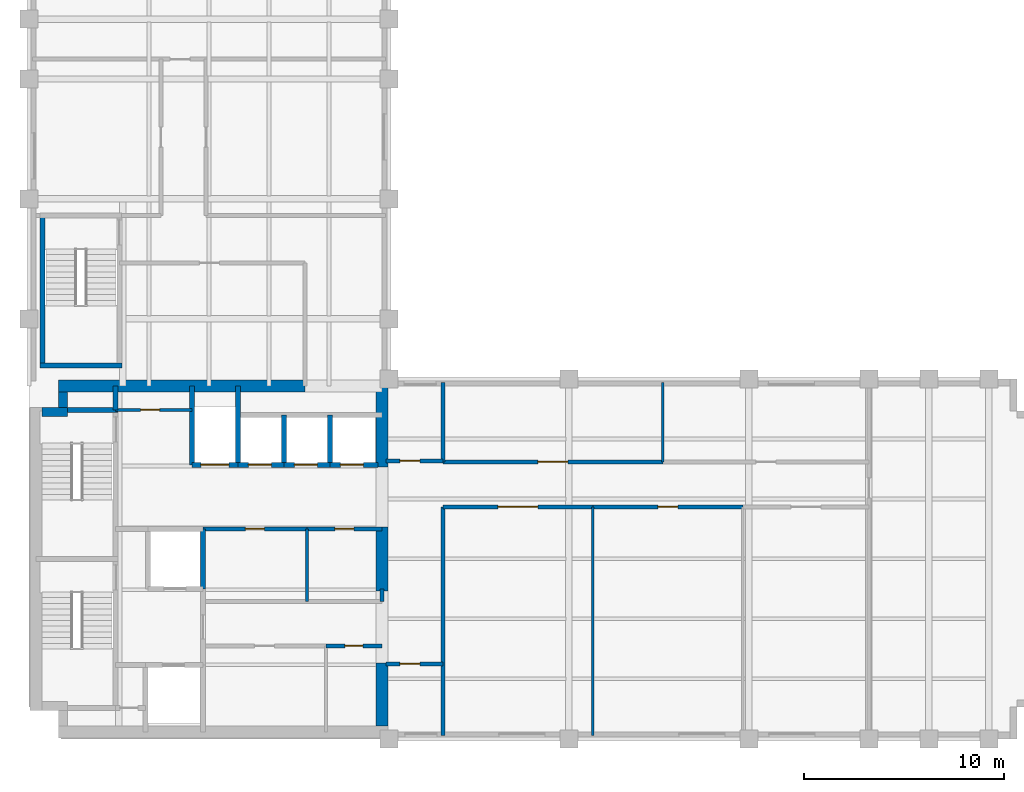
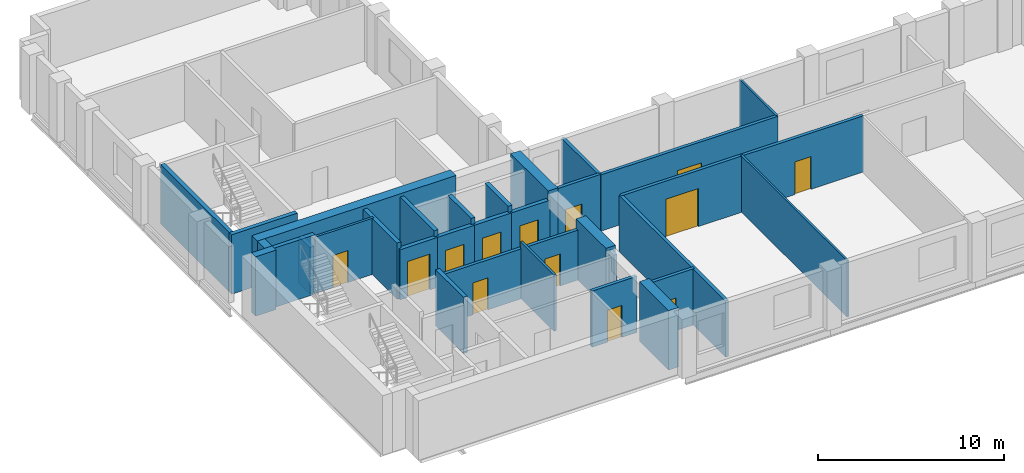
# One storey, part 3 of 6: 34 walls, 13 doors, 13 openings.
"""IFC4 building model written with IfcOpenShell, lengths in metres."""

from ifc_helpers import new_model, si_unit, direction, frame, frame_2d, origin, place, context, subcontext, project, spatial, rectangle, extrude, material, layer, layer_set, type_object, element, fill, save


model = new_model("IFC4")

# Units and contexts
model_context = context("Model", 3, precision=1e-05, world=origin(), true_north=direction((0.0, 1.0)))
body_context = subcontext(model_context, "Body", "Model", "MODEL_VIEW")
ifc_project = project(units=[si_unit("LENGTHUNIT", "METRE"), si_unit("AREAUNIT", "SQUARE_METRE"), si_unit("VOLUMEUNIT", "CUBIC_METRE"), si_unit("PLANEANGLEUNIT", "RADIAN"), si_unit("MASSUNIT", "GRAM", prefix="KILO")], contexts=[model_context])

# Site, building, storey
site_placement = place(None, origin())
site = spatial("IfcSite", under=ifc_project, at=site_placement, CompositionType="ELEMENT")
building_placement = place(site_placement, origin())
building = spatial("IfcBuilding", under=site, at=building_placement, Name="Mawjdan Bourse Tower", CompositionType="ELEMENT")
storey_placement = place(building_placement, frame((0.0, 0.0, 180.0)))
storey = spatial("IfcBuildingStorey", under=building, at=storey_placement, Name="L43", CompositionType="ELEMENT", Elevation=180.0)

# Wall, opening, door
ifc_material_1 = material(Name="Gypsum Fireboard Assembly")
ifc_layer_1 = layer(ifc_material_1, 0.199951171875)
ifc_layer_set_1 = layer_set([ifc_layer_1], Name="Gypsum Fireboard Assembly")
wall_type_1 = type_object("IfcWallType", Name="WL-CMP-200", PredefinedType="PARTITIONING", material=ifc_layer_set_1)
wall_1_placement = place(storey_placement, frame((20.85009765625, 7.659912109375, 0.0), z_axis=(0.0, 0.0, 1.0), x_axis=(1.0, 0.0, 0.0)))
wall_1 = element("IfcWall", 1, at=wall_1_placement, inside=storey, type_object=wall_type_1, Name="L43 Telemetry Control Room North Wall", PredefinedType="PARTITIONING", context=body_context, shape_type="SweptSolid", body=[
    extrude(rectangle(XDim=2.7998046875, YDim=0.199951171875, at=frame_2d((1.39990234375, 0.0))), origin(), (0.0, 0.0, 1.0), 3.68994140625),
])
opening_1_placement = place(wall_1_placement, frame((0.949951171875, 0.0, 0.0)))
opening_1 = element("IfcOpeningElement", 2, at=opening_1_placement, cuts=wall_1, Name="Opening D-L43-14", PredefinedType="OPENING", context=body_context, shape_type="SweptSolid", body=[
    extrude(rectangle(XDim=0.89990234375, YDim=2.10009765625, at=frame_2d((0.449951171875, 1.050048828125))), frame((0.0, 0.10986328125, 0.0), z_axis=(0.0, -1.0, 0.0), x_axis=(1.0, 0.0, 0.0)), (0.0, 0.0, 1.0), 0.219970703125),
])
ifc_material_2 = material(Name="Fire-Rated Steel Access Leaf", Category="steel")
door_type_1 = type_object("IfcDoorType", Name="FD-RSR-0900", OperationType="NOTDEFINED", PredefinedType="TRAPDOOR", material=ifc_material_2)
door_1_placement = place(opening_1_placement, origin())
door_1 = element("IfcDoor", 3, at=door_1_placement, inside=storey, type_object=door_type_1, Name="L43 Telemetry Control Room Door D-L43-14", OperationType="SINGLE_SWING_LEFT", OverallHeight=2.10009765625, OverallWidth=0.89990234375, PredefinedType="TRAPDOOR", context=body_context, shape_type="SweptSolid", body=[
    extrude(rectangle(XDim=0.89990234375, YDim=2.10009765625, at=frame_2d((0.449951171875, 1.050048828125))), frame((0.0, 0.02490234375, 0.0), z_axis=(0.0, -1.0, 0.0), x_axis=(1.0, 0.0, 0.0)), (0.0, 0.0, 1.0), 0.050048828125),
])
fill(opening_1, door_1)

# Wall
wall_2_placement = place(storey_placement, frame((23.64990234375, 9.8798828125, 0.0), z_axis=(0.0, 0.0, 1.0), x_axis=(0.0, 1.0, 0.0)))
element("IfcWall", 4, at=wall_2_placement, inside=storey, type_object=wall_type_1, Name="L43 Core Restroom East Return", PredefinedType="PARTITIONING", context=body_context, shape_type="SweptSolid", body=[
    extrude(rectangle(XDim=0.6201171875, YDim=0.199951171875, at=frame_2d((0.31005859375, 0.0))), origin(), (0.0, 0.0, 1.0), 3.68994140625),
])

# Wall, opening, door
wall_3_placement = place(storey_placement, frame((14.699951171875, 13.5, 0.0), z_axis=(0.0, 0.0, 1.0), x_axis=(1.0, 0.0, 0.0)))
wall_3 = element("IfcWall", 5, at=wall_3_placement, inside=storey, type_object=wall_type_1, Name="L43 Accessible WC North Wall", PredefinedType="PARTITIONING", context=body_context, shape_type="SweptSolid", body=[
    extrude(rectangle(XDim=5.199951171875, YDim=0.199951171875, at=frame_2d((2.60009765625, 0.0))), origin(), (0.0, 0.0, 1.0), 3.282958984375),
])
opening_2_placement = place(wall_3_placement, frame((2.125, 0.0, 0.0)))
opening_2 = element("IfcOpeningElement", 6, at=opening_2_placement, cuts=wall_3, Name="Opening D-L43-15", PredefinedType="OPENING", context=body_context, shape_type="SweptSolid", body=[
    extrude(rectangle(XDim=0.949951171875, YDim=2.10009765625, at=frame_2d((0.47509765625, 1.050048828125))), frame((0.0, 0.10986328125, 0.0), z_axis=(0.0, -1.0, 0.0), x_axis=(1.0, 0.0, 0.0)), (0.0, 0.0, 1.0), 0.219970703125),
])
ifc_material_3 = material(Name="Moisture-Resistant Laminate Timber", Category="wood")
door_type_2 = type_object("IfcDoorType", Name="DR-WET-0950", OperationType="NOTDEFINED", PredefinedType="DOOR", material=ifc_material_3)
door_2_placement = place(opening_2_placement, origin())
door_2 = element("IfcDoor", 7, at=door_2_placement, inside=storey, type_object=door_type_2, Name="L43 Accessible WC Door D-L43-15", OperationType="SINGLE_SWING_RIGHT", OverallHeight=2.10009765625, OverallWidth=0.949951171875, PredefinedType="DOOR", context=body_context, shape_type="SweptSolid", body=[
    extrude(rectangle(XDim=0.949951171875, YDim=2.10009765625, at=frame_2d((0.47509765625, 1.050048828125))), frame((0.0, 0.02490234375, 0.0), z_axis=(0.0, -1.0, 0.0), x_axis=(1.0, 0.0, 0.0)), (0.0, 0.0, 1.0), 0.050048828125),
])
fill(opening_2, door_2)

wall_4_placement = place(storey_placement, frame((19.89990234375, 13.5, 0.0), z_axis=(0.0, 0.0, 1.0), x_axis=(1.0, 0.0, 0.0)))
wall_4 = element("IfcWall", 8, at=wall_4_placement, inside=storey, type_object=wall_type_1, Name="L43 Staff Wellness & Quiet Room North Wall", PredefinedType="PARTITIONING", context=body_context, shape_type="SweptSolid", body=[
    extrude(rectangle(XDim=3.75, YDim=0.199951171875, at=frame_2d((1.875, 0.0))), origin(), (0.0, 0.0, 1.0), 3.282958984375),
])
opening_3_placement = place(wall_4_placement, frame((1.39990234375, 0.0, 0.0)))
opening_3 = element("IfcOpeningElement", 9, at=opening_3_placement, cuts=wall_4, Name="Opening D-L43-16", PredefinedType="OPENING", context=body_context, shape_type="SweptSolid", body=[
    extrude(rectangle(XDim=0.949951171875, YDim=2.10009765625, at=frame_2d((0.47509765625, 1.050048828125))), frame((0.0, 0.10986328125, 0.0), z_axis=(0.0, -1.0, 0.0), x_axis=(1.0, 0.0, 0.0)), (0.0, 0.0, 1.0), 0.219970703125),
])
door_3_placement = place(opening_3_placement, origin())
door_3 = element("IfcDoor", 10, at=door_3_placement, inside=storey, type_object=door_type_2, Name="L43 Staff Wellness & Quiet Room Door D-L43-16", OperationType="SINGLE_SWING_LEFT", OverallHeight=2.10009765625, OverallWidth=0.949951171875, PredefinedType="DOOR", context=body_context, shape_type="SweptSolid", body=[
    extrude(rectangle(XDim=0.949951171875, YDim=2.10009765625, at=frame_2d((0.47509765625, 1.050048828125))), frame((0.0, 0.02490234375, 0.0), z_axis=(0.0, -1.0, 0.0), x_axis=(1.0, 0.0, 0.0)), (0.0, 0.0, 1.0), 0.050048828125),
])
fill(opening_3, door_3)

wall_5_placement = place(storey_placement, frame((23.85009765625, 6.75, 0.0), z_axis=(0.0, 0.0, 1.0), x_axis=(1.0, 0.0, 0.0)))
wall_5 = element("IfcWall", 11, at=wall_5_placement, inside=storey, type_object=wall_type_1, Name="L43 West Pocket North Wall", PredefinedType="PARTITIONING", context=body_context, shape_type="SweptSolid", body=[
    extrude(rectangle(XDim=2.849853515625, YDim=0.199951171875, at=frame_2d((1.4248046875, 0.0))), origin(), (0.0, 0.0, 1.0), 3.68994140625),
])
opening_4_placement = place(wall_5_placement, frame((0.699951171875, 0.0, 0.0)))
opening_4 = element("IfcOpeningElement", 12, at=opening_4_placement, cuts=wall_5, Name="Opening D-L43-19", PredefinedType="OPENING", context=body_context, shape_type="SweptSolid", body=[
    extrude(rectangle(XDim=1.0, YDim=2.14990234375, at=frame_2d((0.5, 1.074951171875))), frame((0.0, 0.10986328125, 0.0), z_axis=(0.0, -1.0, 0.0), x_axis=(1.0, 0.0, 0.0)), (0.0, 0.0, 1.0), 0.219970703125),
])
ifc_material_4 = material(Name="Hardwood Acoustic Leaf", Category="wood")
door_type_3 = type_object("IfcDoorType", Name="DR-OFC-1000", OperationType="NOTDEFINED", PredefinedType="DOOR", material=ifc_material_4)
door_4_placement = place(opening_4_placement, origin())
door_4 = element("IfcDoor", 13, at=door_4_placement, inside=storey, type_object=door_type_3, Name="L43 West Pocket Office Door D-L43-19", OperationType="SINGLE_SWING_RIGHT", OverallHeight=2.14990234375, OverallWidth=1.0, PredefinedType="DOOR", context=body_context, shape_type="SweptSolid", body=[
    extrude(rectangle(XDim=1.0, YDim=2.14990234375, at=frame_2d((0.5, 1.074951171875))), frame((0.0, 0.02490234375, 0.0), z_axis=(0.0, -1.0, 0.0), x_axis=(1.0, 0.0, 0.0)), (0.0, 0.0, 1.0), 0.050048828125),
])
fill(opening_4, door_4)

wall_6_placement = place(storey_placement, frame((23.85009765625, 16.89990234375, 0.0), z_axis=(0.0, 0.0, 1.0), x_axis=(1.0, 0.0, 0.0)))
wall_6 = element("IfcWall", 14, at=wall_6_placement, inside=storey, type_object=wall_type_1, Name="L43 West North Pocket Wall", PredefinedType="PARTITIONING", context=body_context, shape_type="SweptSolid", body=[
    extrude(rectangle(XDim=2.849853515625, YDim=0.199951171875, at=frame_2d((1.4248046875, 0.0))), origin(), (0.0, 0.0, 1.0), 3.68994140625),
])
opening_5_placement = place(wall_6_placement, frame((0.699951171875, 0.0, 0.0)))
opening_5 = element("IfcOpeningElement", 15, at=opening_5_placement, cuts=wall_6, Name="Opening D-L43-20", PredefinedType="OPENING", context=body_context, shape_type="SweptSolid", body=[
    extrude(rectangle(XDim=1.0, YDim=2.14990234375, at=frame_2d((0.5, 1.074951171875))), frame((0.0, 0.10986328125, 0.0), z_axis=(0.0, -1.0, 0.0), x_axis=(1.0, 0.0, 0.0)), (0.0, 0.0, 1.0), 0.219970703125),
])
door_5_placement = place(opening_5_placement, origin())
door_5 = element("IfcDoor", 16, at=door_5_placement, inside=storey, type_object=door_type_3, Name="L43 West North Pocket Door D-L43-20", OperationType="SINGLE_SWING_LEFT", OverallHeight=2.14990234375, OverallWidth=1.0, PredefinedType="DOOR", context=body_context, shape_type="SweptSolid", body=[
    extrude(rectangle(XDim=1.0, YDim=2.14990234375, at=frame_2d((0.5, 1.074951171875))), frame((0.0, 0.02490234375, 0.0), z_axis=(0.0, -1.0, 0.0), x_axis=(1.0, 0.0, 0.0)), (0.0, 0.0, 1.0), 0.050048828125),
])
fill(opening_5, door_5)

# Walls
wall_7_placement = place(storey_placement, frame((26.699951171875, 3.179931640625, 0.0), z_axis=(0.0, 0.0, 1.0), x_axis=(0.0, 1.0, 0.0)))
element("IfcWall", 17, at=wall_7_placement, inside=storey, type_object=wall_type_1, Name="L43 Vestibule South East Wall", PredefinedType="PARTITIONING", context=body_context, shape_type="SweptSolid", body=[
    extrude(rectangle(XDim=11.420166015625, YDim=0.199951171875, at=frame_2d((5.7099609375, 0.0))), origin(), (0.0, 0.0, 1.0), 3.68994140625),
])
wall_8_placement = place(storey_placement, frame((26.699951171875, 16.85009765625, 0.0), z_axis=(0.0, 0.0, 1.0), x_axis=(0.0, 1.0, 0.0)))
element("IfcWall", 18, at=wall_8_placement, inside=storey, type_object=wall_type_1, Name="L43 Vestibule North East Wall", PredefinedType="PARTITIONING", context=body_context, shape_type="SweptSolid", body=[
    extrude(rectangle(XDim=3.969970703125, YDim=0.199951171875, at=frame_2d((1.98486328125, 0.0))), origin(), (0.0, 0.0, 1.0), 3.68994140625),
])

# Wall, opening, door
wall_9_placement = place(storey_placement, frame((26.699951171875, 14.60009765625, 0.0), z_axis=(0.0, 0.0, 1.0), x_axis=(1.0, 0.0, 0.0)))
wall_9 = element("IfcWall", 19, at=wall_9_placement, inside=storey, type_object=wall_type_1, Name="L43 Asset Allocation Hall Corridor Wall", PredefinedType="PARTITIONING", context=body_context, shape_type="SweptSolid", body=[
    extrude(rectangle(XDim=7.5, YDim=0.199951171875, at=frame_2d((3.75, 0.0))), origin(), (0.0, 0.0, 1.0), 3.68994140625),
])
opening_6_placement = place(wall_9_placement, frame((2.75, 0.0, 0.0)))
opening_6 = element("IfcOpeningElement", 20, at=opening_6_placement, cuts=wall_9, Name="Opening D-L43-21", PredefinedType="OPENING", context=body_context, shape_type="SweptSolid", body=[
    extrude(rectangle(XDim=2.0, YDim=2.5, at=frame_2d((1.0, 1.25))), frame((0.0, 0.10986328125, 0.0), z_axis=(0.0, -1.0, 0.0), x_axis=(1.0, 0.0, 0.0)), (0.0, 0.0, 1.0), 0.219970703125),
])
ifc_material_5 = material(Name="Acoustic Veneered Timber", Category="wood")
door_type_4 = type_object("IfcDoorType", Name="DR-ASM-2000", OperationType="DOUBLE_DOOR_SINGLE_SWING", PredefinedType="DOOR", material=ifc_material_5)
door_6_placement = place(opening_6_placement, origin())
door_6 = element("IfcDoor", 21, at=door_6_placement, inside=storey, type_object=door_type_4, Name="L43 Asset Allocation Hall Door D-L43-21", OperationType="DOUBLE_DOOR_SINGLE_SWING", OverallHeight=2.5, OverallWidth=2.0, PredefinedType="DOOR", context=body_context, shape_type="SweptSolid", body=[
    extrude(rectangle(XDim=2.0, YDim=2.5, at=frame_2d((1.0, 1.25))), frame((0.0, 0.02490234375, 0.0), z_axis=(0.0, -1.0, 0.0), x_axis=(1.0, 0.0, 0.0)), (0.0, 0.0, 1.0), 0.050048828125),
])
fill(opening_6, door_6)

wall_10_placement = place(storey_placement, frame((34.199951171875, 14.60009765625, 0.0), z_axis=(0.0, 0.0, 1.0), x_axis=(1.0, 0.0, 0.0)))
wall_10 = element("IfcWall", 22, at=wall_10_placement, inside=storey, type_object=wall_type_1, Name="L43 Executive Office Corridor Wall", PredefinedType="PARTITIONING", context=body_context, shape_type="SweptSolid", body=[
    extrude(rectangle(XDim=7.5, YDim=0.199951171875, at=frame_2d((3.75, 0.0))), origin(), (0.0, 0.0, 1.0), 3.68994140625),
])
opening_7_placement = place(wall_10_placement, frame((3.25, 0.0, 0.0)))
opening_7 = element("IfcOpeningElement", 23, at=opening_7_placement, cuts=wall_10, Name="Opening D-L43-22", PredefinedType="OPENING", context=body_context, shape_type="SweptSolid", body=[
    extrude(rectangle(XDim=1.0, YDim=2.14990234375, at=frame_2d((0.5, 1.074951171875))), frame((0.0, 0.10986328125, 0.0), z_axis=(0.0, -1.0, 0.0), x_axis=(1.0, 0.0, 0.0)), (0.0, 0.0, 1.0), 0.219970703125),
])
door_7_placement = place(opening_7_placement, origin())
door_7 = element("IfcDoor", 24, at=door_7_placement, inside=storey, type_object=door_type_3, Name="L43 Executive Office Door D-L43-22", OperationType="SINGLE_SWING_RIGHT", OverallHeight=2.14990234375, OverallWidth=1.0, PredefinedType="DOOR", context=body_context, shape_type="SweptSolid", body=[
    extrude(rectangle(XDim=1.0, YDim=2.14990234375, at=frame_2d((0.5, 1.074951171875))), frame((0.0, 0.02490234375, 0.0), z_axis=(0.0, -1.0, 0.0), x_axis=(1.0, 0.0, 0.0)), (0.0, 0.0, 1.0), 0.050048828125),
])
fill(opening_7, door_7)

wall_11_placement = place(storey_placement, frame((26.699951171875, 16.85009765625, 0.0), z_axis=(0.0, 0.0, 1.0), x_axis=(1.0, 0.0, 0.0)))
wall_11 = element("IfcWall", 25, at=wall_11_placement, inside=storey, type_object=wall_type_1, Name="L43 Conference Room Corridor Wall", PredefinedType="PARTITIONING", context=body_context, shape_type="SweptSolid", body=[
    extrude(rectangle(XDim=11.0, YDim=0.199951171875, at=frame_2d((5.5, 0.0))), origin(), (0.0, 0.0, 1.0), 3.68994140625),
])
opening_8_placement = place(wall_11_placement, frame((4.75, 0.0, 0.0)))
opening_8 = element("IfcOpeningElement", 26, at=opening_8_placement, cuts=wall_11, Name="Opening D-L43-24", PredefinedType="OPENING", context=body_context, shape_type="SweptSolid", body=[
    extrude(rectangle(XDim=1.5, YDim=2.300048828125, at=frame_2d((0.75, 1.14990234375))), frame((0.0, 0.10986328125, 0.0), z_axis=(0.0, -1.0, 0.0), x_axis=(1.0, 0.0, 0.0)), (0.0, 0.0, 1.0), 0.219970703125),
])
ifc_material_6 = material(Name="Acoustic Glazed Timber", Category="wood")
door_type_5 = type_object("IfcDoorType", Name="DR-CNF-1500", OperationType="DOUBLE_DOOR_SINGLE_SWING", PredefinedType="DOOR", material=ifc_material_6)
door_8_placement = place(opening_8_placement, origin())
door_8 = element("IfcDoor", 27, at=door_8_placement, inside=storey, type_object=door_type_5, Name="L43 Conference Room Door D-L43-24", OperationType="DOUBLE_DOOR_SINGLE_SWING", OverallHeight=2.300048828125, OverallWidth=1.5, PredefinedType="DOOR", context=body_context, shape_type="SweptSolid", body=[
    extrude(rectangle(XDim=1.5, YDim=2.300048828125, at=frame_2d((0.75, 1.14990234375))), frame((0.0, 0.02490234375, 0.0), z_axis=(0.0, -1.0, 0.0), x_axis=(1.0, 0.0, 0.0)), (0.0, 0.0, 1.0), 0.050048828125),
])
fill(opening_8, door_8)

# Walls
ifc_material_7 = material(Name="Concrete C60/75", Category="concrete")
ifc_layer_2 = layer(ifc_material_7, 0.449951171875)
ifc_layer_set_2 = layer_set([ifc_layer_2], Name="Concrete C60/75")
wall_type_2 = type_object("IfcWallType", Name="WL-CORE-450", PredefinedType="SHEAR", material=ifc_layer_set_2)
wall_12_placement = place(storey_placement, frame((6.64990234375, 19.35009765625, 0.0), z_axis=(0.0, 0.0, 1.0), x_axis=(1.0, 0.0, 0.0)))
element("IfcWall", 28, at=wall_12_placement, inside=storey, type_object=wall_type_2, Name="L43 Rear Core Shear Wall NW-X", PredefinedType="SHEAR", context=body_context, shape_type="SweptSolid", body=[
    extrude(rectangle(XDim=1.275146484375, YDim=0.449951171875, at=frame_2d((0.6376953125, 0.0))), origin(), (0.0, 0.0, 1.0), 3.89990234375),
])
wall_13_placement = place(storey_placement, frame((7.699951171875, 19.574951171875, 0.0), z_axis=(0.0, 0.0, 1.0), x_axis=(0.0, 1.0, 0.0)))
element("IfcWall", 29, at=wall_13_placement, inside=storey, type_object=wall_type_2, Name="L43 Rear Core Shear Wall NW-Y", PredefinedType="SHEAR", context=body_context, shape_type="SweptSolid", body=[
    extrude(rectangle(XDim=0.775146484375, YDim=0.449951171875, at=frame_2d((0.3876953125, 0.0))), origin(), (0.0, 0.0, 1.0), 3.89990234375),
])
ifc_material_8 = material(Name="Concrete C70/85", Category="concrete")
ifc_layer_3 = layer(ifc_material_8, 0.60009765625)
ifc_layer_set_3 = layer_set([ifc_layer_3], Name="Concrete C70/85")
wall_type_3 = type_object("IfcWallType", Name="WL-CORE-600", PredefinedType="SHEAR", material=ifc_layer_set_3)
wall_14_placement = place(storey_placement, frame((7.47509765625, 20.64990234375, 0.0), z_axis=(0.0, 0.0, 1.0), x_axis=(1.0, 0.0, 0.0)))
element("IfcWall", 30, at=wall_14_placement, inside=storey, type_object=wall_type_3, Name="L43 Rear Core Shear Wall N", PredefinedType="SHEAR", context=body_context, shape_type="SweptSolid", body=[
    extrude(rectangle(XDim=12.324951171875, YDim=0.60009765625, at=frame_2d((6.16259765625, 0.0))), origin(), (0.0, 0.0, 1.0), 3.89990234375),
])
wall_15_placement = place(storey_placement, frame((23.64990234375, 3.64990234375, 0.0), z_axis=(0.0, 0.0, 1.0), x_axis=(0.0, 1.0, 0.0)))
element("IfcWall", 31, at=wall_15_placement, inside=storey, type_object=wall_type_3, Name="L43 Rear Core Shear Wall E1", PredefinedType="SHEAR", context=body_context, shape_type="SweptSolid", body=[
    extrude(rectangle(XDim=3.150146484375, YDim=0.60009765625, at=frame_2d((1.5751953125, 0.0))), origin(), (0.0, 0.0, 1.0), 3.89990234375),
])
wall_16_placement = place(storey_placement, frame((23.64990234375, 10.39990234375, 0.0), z_axis=(0.0, 0.0, 1.0), x_axis=(0.0, 1.0, 0.0)))
element("IfcWall", 32, at=wall_16_placement, inside=storey, type_object=wall_type_3, Name="L43 Rear Core Shear Wall E2", PredefinedType="SHEAR", context=body_context, shape_type="SweptSolid", body=[
    extrude(rectangle(XDim=3.2001953125, YDim=0.60009765625, at=frame_2d((1.60009765625, 0.0))), origin(), (0.0, 0.0, 1.0), 3.89990234375),
])
wall_17_placement = place(storey_placement, frame((23.64990234375, 16.60009765625, 0.0), z_axis=(0.0, 0.0, 1.0), x_axis=(0.0, 1.0, 0.0)))
element("IfcWall", 33, at=wall_17_placement, inside=storey, type_object=wall_type_3, Name="L43 Rear Core Shear Wall E3", PredefinedType="SHEAR", context=body_context, shape_type="SweptSolid", body=[
    extrude(rectangle(XDim=4.0498046875, YDim=0.60009765625, at=frame_2d((2.02490234375, 0.0))), origin(), (0.0, 0.0, 1.0), 3.89990234375),
])
ifc_material_9 = material(Name="Gypsum Partition")
ifc_layer_4 = layer(ifc_material_9, 0.125)
ifc_layer_set_4 = layer_set([ifc_layer_4], Name="Gypsum Partition")
wall_type_4 = type_object("IfcWallType", Name="WL-PRT-125", PredefinedType="PARTITIONING", material=ifc_layer_set_4)
wall_18_placement = place(storey_placement, frame((34.199951171875, 3.179931640625, 0.0), z_axis=(0.0, 0.0, 1.0), x_axis=(0.0, 1.0, 0.0)))
element("IfcWall", 34, at=wall_18_placement, inside=storey, type_object=wall_type_4, Name="L43 Executive Office Partition", PredefinedType="PARTITIONING", context=body_context, shape_type="SweptSolid", body=[
    extrude(rectangle(XDim=11.420166015625, YDim=0.125, at=frame_2d((5.7099609375, 0.0))), origin(), (0.0, 0.0, 1.0), 3.68994140625),
])
wall_19_placement = place(storey_placement, frame((37.699951171875, 16.85009765625, 0.0), z_axis=(0.0, 0.0, 1.0), x_axis=(0.0, 1.0, 0.0)))
element("IfcWall", 35, at=wall_19_placement, inside=storey, type_object=wall_type_4, Name="L43 Legal Counsel Library Partition", PredefinedType="PARTITIONING", context=body_context, shape_type="SweptSolid", body=[
    extrude(rectangle(XDim=3.969970703125, YDim=0.125, at=frame_2d((1.98486328125, 0.0))), origin(), (0.0, 0.0, 1.0), 3.68994140625),
])
ifc_material_10 = material(Name="Gypsum Acoustic Partition")
ifc_layer_5 = layer(ifc_material_10, 0.14990234375)
ifc_layer_set_5 = layer_set([ifc_layer_5], Name="Gypsum Acoustic Partition")
wall_type_5 = type_object("IfcWallType", Name="WL-PRT-150", PredefinedType="PARTITIONING", material=ifc_layer_set_5)
wall_20_placement = place(storey_placement, frame((19.89990234375, 9.8798828125, 0.0), z_axis=(0.0, 0.0, 1.0), x_axis=(0.0, 1.0, 0.0)))
element("IfcWall", 36, at=wall_20_placement, inside=storey, type_object=wall_type_5, Name="L43 Staff Wellness & Quiet Room Split Wall", PredefinedType="PARTITIONING", context=body_context, shape_type="SweptSolid", body=[
    extrude(rectangle(XDim=3.6201171875, YDim=0.14990234375, at=frame_2d((1.81005859375, 0.0))), origin(), (0.0, 0.0, 1.0), 3.68994140625),
])

# Wall, opening, door
wall_21_placement = place(storey_placement, frame((10.330078125, 19.449951171875, 0.0), z_axis=(0.0, 0.0, 1.0), x_axis=(1.0, 0.0, 0.0)))
wall_21 = element("IfcWall", 37, at=wall_21_placement, inside=storey, type_object=wall_type_5, Name="L43 Housekeeping South Wall", PredefinedType="PARTITIONING", context=body_context, shape_type="SweptSolid", body=[
    extrude(rectangle(XDim=3.81982421875, YDim=0.14990234375, at=frame_2d((1.909912109375, 0.0))), origin(), (0.0, 0.0, 1.0), 3.68994140625),
])
opening_9_placement = place(wall_21_placement, frame((1.25, 0.0, 0.0)))
opening_9 = element("IfcOpeningElement", 38, at=opening_9_placement, cuts=wall_21, Name="Opening D-L43-17", PredefinedType="OPENING", context=body_context, shape_type="SweptSolid", body=[
    extrude(rectangle(XDim=0.949951171875, YDim=2.10009765625, at=frame_2d((0.47509765625, 1.050048828125))), frame((0.0, 0.0849609375, 0.0), z_axis=(0.0, -1.0, 0.0), x_axis=(1.0, 0.0, 0.0)), (0.0, 0.0, 1.0), 0.169921875),
])
door_9_placement = place(opening_9_placement, origin())
door_9 = element("IfcDoor", 39, at=door_9_placement, inside=storey, type_object=door_type_2, Name="L43 Housekeeping Closet Door D-L43-17", OperationType="SINGLE_SWING_RIGHT", OverallHeight=2.10009765625, OverallWidth=0.949951171875, PredefinedType="DOOR", context=body_context, shape_type="SweptSolid", body=[
    extrude(rectangle(XDim=0.949951171875, YDim=2.10009765625, at=frame_2d((0.47509765625, 1.050048828125))), frame((0.0, 0.02490234375, 0.0), z_axis=(0.0, -1.0, 0.0), x_axis=(1.0, 0.0, 0.0)), (0.0, 0.0, 1.0), 0.050048828125),
])
fill(opening_9, door_9)

# Walls
ifc_material_11 = material(Name="Concrete C50/60", Category="concrete")
ifc_layer_6 = layer(ifc_material_11, 0.25)
ifc_layer_set_6 = layer_set([ifc_layer_6], Name="Concrete C50/60")
wall_type_6 = type_object("IfcWallType", Name="WL-SHFT-250", PredefinedType="PARTITIONING", material=ifc_layer_set_6)
wall_22_placement = place(storey_placement, frame((10.330078125, 19.449951171875, 0.0), z_axis=(0.0, 0.0, 1.0), x_axis=(0.0, 1.0, 0.0)))
element("IfcWall", 40, at=wall_22_placement, inside=storey, type_object=wall_type_6, Name="L43 NW Riser East Wall", PredefinedType="PARTITIONING", context=body_context, shape_type="SweptSolid", body=[
    extrude(rectangle(XDim=1.199951171875, YDim=0.25, at=frame_2d((0.60009765625, 0.0))), origin(), (0.0, 0.0, 1.0), 3.072998046875),
])
wall_23_placement = place(storey_placement, frame((14.699951171875, 10.5, 0.0), z_axis=(0.0, 0.0, 1.0), x_axis=(0.0, 1.0, 0.0)))
element("IfcWall", 41, at=wall_23_placement, inside=storey, type_object=wall_type_6, Name="L43 FFL-02 East Shaft Wall", PredefinedType="PARTITIONING", context=body_context, shape_type="SweptSolid", body=[
    extrude(rectangle(XDim=3.0, YDim=0.25, at=frame_2d((1.5, 0.0))), origin(), (0.0, 0.0, 1.0), 3.68994140625),
])

# Wall, opening, door
wall_24_placement = place(storey_placement, frame((14.14990234375, 16.699951171875, 0.0), z_axis=(0.0, 0.0, 1.0), x_axis=(1.0, 0.0, 0.0)))
wall_24 = element("IfcWall", 42, at=wall_24_placement, inside=storey, type_object=wall_type_6, Name="L43 SVL-01 Front Shaft Wall", PredefinedType="PARTITIONING", context=body_context, shape_type="SweptSolid", body=[
    extrude(rectangle(XDim=2.300048828125, YDim=0.25, at=frame_2d((1.14990234375, 0.0))), origin(), (0.0, 0.0, 1.0), 3.282958984375),
])
opening_10_placement = place(wall_24_placement, frame((0.449951171875, 0.0, 0.0)))
opening_10 = element("IfcOpeningElement", 43, at=opening_10_placement, cuts=wall_24, Name="Opening LD-L43-09", PredefinedType="OPENING", context=body_context, shape_type="SweptSolid", body=[
    extrude(rectangle(XDim=1.39990234375, YDim=2.35009765625, at=frame_2d((0.699951171875, 1.175048828125))), frame((0.0, 0.135009765625, 0.0), z_axis=(0.0, -1.0, 0.0), x_axis=(1.0, 0.0, 0.0)), (0.0, 0.0, 1.0), 0.27001953125),
])
ifc_material_12 = material(Name="Heavy-Duty Stainless Steel", Category="steel")
door_type_6 = type_object("IfcDoorType", Name="LD-SRV-1400", OperationType="DOUBLE_DOOR_SLIDING", PredefinedType="DOOR", material=ifc_material_12)
door_10_placement = place(opening_10_placement, origin())
door_10 = element("IfcDoor", 44, at=door_10_placement, inside=storey, type_object=door_type_6, Name="L43 Service Lift SVL-01 Landing Door LD-L43-09", OperationType="DOUBLE_DOOR_SLIDING", OverallHeight=2.35009765625, OverallWidth=1.39990234375, PredefinedType="DOOR", context=body_context, shape_type="SweptSolid", body=[
    extrude(rectangle(XDim=1.39990234375, YDim=2.35009765625, at=frame_2d((0.699951171875, 1.175048828125))), frame((0.0, 0.02490234375, 0.0), z_axis=(0.0, -1.0, 0.0), x_axis=(1.0, 0.0, 0.0)), (0.0, 0.0, 1.0), 0.050048828125),
])
fill(opening_10, door_10)

# Walls
for number, where, z_axis, x_axis, name in (
    (45, (14.14990234375, 16.699951171875, 0.0), (0.0, 0.0, 1.0), (0.0, 1.0, 0.0), "L43 SVL-01 West Shaft Wall"),
    (46, (16.449951171875, 16.699951171875, 0.0), (0.0, 0.0, 1.0), (0.0, 1.0, 0.0), "L43 SVL-01 East Shaft Wall"),
):
    element("IfcWall", number, at=place(storey_placement, frame(where, z_axis=z_axis, x_axis=x_axis)), inside=storey, type_object=wall_type_6, Name=name, PredefinedType="PARTITIONING", context=body_context, shape_type="SweptSolid", body=[
        extrude(rectangle(XDim=3.949951171875, YDim=0.25, at=frame_2d((1.97509765625, 0.0))), origin(), (0.0, 0.0, 1.0), 3.68994140625),
    ])

# Wall, opening, door
wall_25_placement = place(storey_placement, frame((16.449951171875, 16.699951171875, 0.0), z_axis=(0.0, 0.0, 1.0), x_axis=(1.0, 0.0, 0.0)))
wall_25 = element("IfcWall", 47, at=wall_25_placement, inside=storey, type_object=wall_type_6, Name="L43 PH-01 Front Wall", PredefinedType="PARTITIONING", context=body_context, shape_type="SweptSolid", body=[
    extrude(rectangle(XDim=2.300048828125, YDim=0.25, at=frame_2d((1.14990234375, 0.0))), origin(), (0.0, 0.0, 1.0), 3.282958984375),
])
opening_11_placement = place(wall_25_placement, frame((0.52001953125, 0.0, 0.0)))
opening_11 = element("IfcOpeningElement", 48, at=opening_11_placement, cuts=wall_25, Name="Opening LD-L43-10", PredefinedType="OPENING", context=body_context, shape_type="SweptSolid", body=[
    extrude(rectangle(XDim=1.14990234375, YDim=2.25, at=frame_2d((0.574951171875, 1.125))), frame((0.0, 0.135009765625, 0.0), z_axis=(0.0, -1.0, 0.0), x_axis=(1.0, 0.0, 0.0)), (0.0, 0.0, 1.0), 0.27001953125),
])
ifc_material_13 = material(Name="Brushed Stainless Steel", Category="steel")
door_type_7 = type_object("IfcDoorType", Name="LD-PAS-1150", OperationType="DOUBLE_DOOR_SLIDING", PredefinedType="DOOR", material=ifc_material_13)
door_11_placement = place(opening_11_placement, origin())
door_11 = element("IfcDoor", 49, at=door_11_placement, inside=storey, type_object=door_type_7, Name="L43 Lift PH-01 Landing Door LD-L43-10", OperationType="DOUBLE_DOOR_SLIDING", OverallHeight=2.25, OverallWidth=1.14990234375, PredefinedType="DOOR", context=body_context, shape_type="SweptSolid", body=[
    extrude(rectangle(XDim=1.14990234375, YDim=2.25, at=frame_2d((0.574951171875, 1.125))), frame((0.0, 0.02490234375, 0.0), z_axis=(0.0, -1.0, 0.0), x_axis=(1.0, 0.0, 0.0)), (0.0, 0.0, 1.0), 0.050048828125),
])
fill(opening_11, door_11)

# Wall
wall_26_placement = place(storey_placement, frame((18.75, 16.699951171875, 0.0), z_axis=(0.0, 0.0, 1.0), x_axis=(0.0, 1.0, 0.0)))
element("IfcWall", 50, at=wall_26_placement, inside=storey, type_object=wall_type_6, Name="L43 PH-01 Divider Wall", PredefinedType="PARTITIONING", context=body_context, shape_type="SweptSolid", body=[
    extrude(rectangle(XDim=2.5, YDim=0.25, at=frame_2d((1.25, 0.0))), origin(), (0.0, 0.0, 1.0), 3.68994140625),
])

# Wall, opening, door
wall_27_placement = place(storey_placement, frame((18.75, 16.699951171875, 0.0), z_axis=(0.0, 0.0, 1.0), x_axis=(1.0, 0.0, 0.0)))
wall_27 = element("IfcWall", 51, at=wall_27_placement, inside=storey, type_object=wall_type_6, Name="L43 PH-02 Front Wall", PredefinedType="PARTITIONING", context=body_context, shape_type="SweptSolid", body=[
    extrude(rectangle(XDim=2.300048828125, YDim=0.25, at=frame_2d((1.14990234375, 0.0))), origin(), (0.0, 0.0, 1.0), 3.282958984375),
])
opening_12_placement = place(wall_27_placement, frame((0.52001953125, 0.0, 0.0)))
opening_12 = element("IfcOpeningElement", 52, at=opening_12_placement, cuts=wall_27, Name="Opening LD-L43-11", PredefinedType="OPENING", context=body_context, shape_type="SweptSolid", body=[
    extrude(rectangle(XDim=1.14990234375, YDim=2.25, at=frame_2d((0.574951171875, 1.125))), frame((0.0, 0.135009765625, 0.0), z_axis=(0.0, -1.0, 0.0), x_axis=(1.0, 0.0, 0.0)), (0.0, 0.0, 1.0), 0.27001953125),
])
door_12_placement = place(opening_12_placement, origin())
door_12 = element("IfcDoor", 53, at=door_12_placement, inside=storey, type_object=door_type_7, Name="L43 Lift PH-02 Landing Door LD-L43-11", OperationType="DOUBLE_DOOR_SLIDING", OverallHeight=2.25, OverallWidth=1.14990234375, PredefinedType="DOOR", context=body_context, shape_type="SweptSolid", body=[
    extrude(rectangle(XDim=1.14990234375, YDim=2.25, at=frame_2d((0.574951171875, 1.125))), frame((0.0, 0.02490234375, 0.0), z_axis=(0.0, -1.0, 0.0), x_axis=(1.0, 0.0, 0.0)), (0.0, 0.0, 1.0), 0.050048828125),
])
fill(opening_12, door_12)

# Wall
wall_28_placement = place(storey_placement, frame((21.050048828125, 16.699951171875, 0.0), z_axis=(0.0, 0.0, 1.0), x_axis=(0.0, 1.0, 0.0)))
element("IfcWall", 54, at=wall_28_placement, inside=storey, type_object=wall_type_6, Name="L43 PH-02 Divider Wall", PredefinedType="PARTITIONING", context=body_context, shape_type="SweptSolid", body=[
    extrude(rectangle(XDim=2.5, YDim=0.25, at=frame_2d((1.25, 0.0))), origin(), (0.0, 0.0, 1.0), 3.68994140625),
])

# Wall, opening, door
wall_29_placement = place(storey_placement, frame((21.050048828125, 16.699951171875, 0.0), z_axis=(0.0, 0.0, 1.0), x_axis=(1.0, 0.0, 0.0)))
wall_29 = element("IfcWall", 55, at=wall_29_placement, inside=storey, type_object=wall_type_6, Name="L43 PH-03 Front Wall", PredefinedType="PARTITIONING", context=body_context, shape_type="SweptSolid", body=[
    extrude(rectangle(XDim=2.39990234375, YDim=0.25, at=frame_2d((1.199951171875, 0.0))), origin(), (0.0, 0.0, 1.0), 3.282958984375),
])
opening_13_placement = place(wall_29_placement, frame((0.52001953125, 0.0, 0.0)))
opening_13 = element("IfcOpeningElement", 56, at=opening_13_placement, cuts=wall_29, Name="Opening LD-L43-12", PredefinedType="OPENING", context=body_context, shape_type="SweptSolid", body=[
    extrude(rectangle(XDim=1.14990234375, YDim=2.25, at=frame_2d((0.574951171875, 1.125))), frame((0.0, 0.135009765625, 0.0), z_axis=(0.0, -1.0, 0.0), x_axis=(1.0, 0.0, 0.0)), (0.0, 0.0, 1.0), 0.27001953125),
])
door_13_placement = place(opening_13_placement, origin())
door_13 = element("IfcDoor", 57, at=door_13_placement, inside=storey, type_object=door_type_7, Name="L43 Lift PH-03 Landing Door LD-L43-12", OperationType="DOUBLE_DOOR_SLIDING", OverallHeight=2.25, OverallWidth=1.14990234375, PredefinedType="DOOR", context=body_context, shape_type="SweptSolid", body=[
    extrude(rectangle(XDim=1.14990234375, YDim=2.25, at=frame_2d((0.574951171875, 1.125))), frame((0.0, 0.02490234375, 0.0), z_axis=(0.0, -1.0, 0.0), x_axis=(1.0, 0.0, 0.0)), (0.0, 0.0, 1.0), 0.050048828125),
])
fill(opening_13, door_13)

# Walls
ifc_layer_7 = layer(ifc_material_11, 0.25)
ifc_layer_set_7 = layer_set([ifc_layer_7], Name="Concrete C50/60")
wall_type_7 = type_object("IfcWallType", Name="WL-STRW-250", PredefinedType="SHEAR", material=ifc_layer_set_7)
wall_30_placement = place(storey_placement, frame((7.699951171875, 19.449951171875, 0.0), z_axis=(0.0, 0.0, 1.0), x_axis=(1.0, 0.0, 0.0)))
element("IfcWall", 58, at=wall_30_placement, inside=storey, type_object=wall_type_7, Name="L43 Stairwell ST2 North Shaft Wall", PredefinedType="SHEAR", context=body_context, shape_type="SweptSolid", body=[
    extrude(rectangle(XDim=2.755126953125, YDim=0.25, at=frame_2d((1.37744140625, 0.0))), origin(), (0.0, 0.0, 1.0), 3.89990234375),
])
wall_31_placement = place(storey_placement, frame((6.554931640625, 21.679931640625, 0.0), z_axis=(0.0, 0.0, 1.0), x_axis=(1.0, 0.0, 0.0)))
element("IfcWall", 59, at=wall_31_placement, inside=storey, type_object=wall_type_7, Name="L43 ST3 South Shaft Wall", PredefinedType="SHEAR", context=body_context, shape_type="SweptSolid", body=[
    extrude(rectangle(XDim=4.090087890625, YDim=0.25, at=frame_2d((2.044921875, 0.0))), origin(), (0.0, 0.0, 1.0), 3.89990234375),
])
wall_32_placement = place(storey_placement, frame((6.679931640625, 21.679931640625, 0.0), z_axis=(0.0, 0.0, 1.0), x_axis=(0.0, 1.0, 0.0)))
element("IfcWall", 60, at=wall_32_placement, inside=storey, type_object=wall_type_7, Name="L43 ST3 West Shaft Wall", PredefinedType="SHEAR", context=body_context, shape_type="SweptSolid", body=[
    extrude(rectangle(XDim=7.5, YDim=0.25, at=frame_2d((3.75, 0.0))), origin(), (0.0, 0.0, 1.0), 3.89990234375),
])

save(model, "model.ifc")
